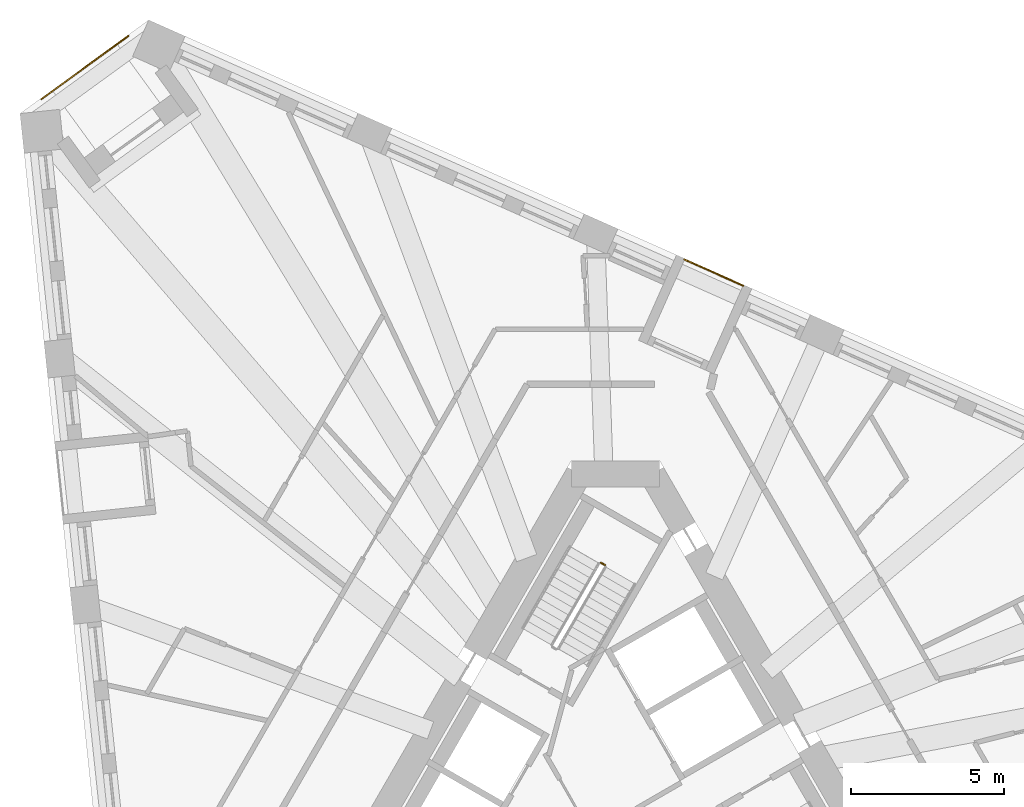
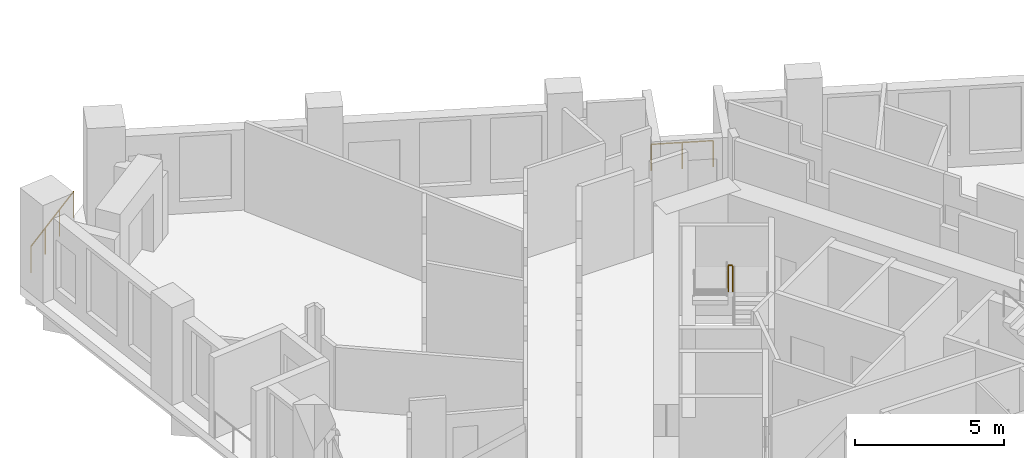
# One storey, part 13 of 14: 3 railings.
"""IFC4 building model written with IfcOpenShell, lengths in metres."""

import ifcopenshell
import ifcopenshell.guid

model = None  # the IFC model being written
_history = None  # IfcOwnerHistory: only IFC2X3 demands one
_inside = {}  # id of a spatial element -> (the spatial element, [elements in it])
_under = {}  # id of a project, library or spatial element -> (it, [spatial elements below it])
_declared = {}  # id of a project -> (the project, [libraries it declares])
_typed = {}  # id of a type object -> (the type object, [elements of that type])
_made_of = {}  # id of a material, layer set ... -> (it, [elements and type objects made of it])


def new_model(schema):
    """Start an empty IFC model of exactly this schema.

    Asked for "IFC4X3", IfcOpenShell would pick the latest addendum, in which some entities
    have other attributes; the version numbers below select the first issue.
    IFC2X3 requires an IfcOwnerHistory on every rooted entity: one is made here for all.
    """
    global model, _history
    if schema == "IFC4X3":
        model = ifcopenshell.file(schema_version=(4, 3, 0, 0))
    else:
        model = ifcopenshell.file(schema=schema)
    _inside.clear()
    _under.clear()
    _declared.clear()
    _typed.clear()
    _made_of.clear()
    _history = None
    if model.schema == "IFC2X3":
        org = make("IfcOrganization", Name="unknown")
        user = make(
            "IfcPersonAndOrganization",
            ThePerson=make("IfcPerson", FamilyName="unknown"),
            TheOrganization=org,
        )
        app = make(
            "IfcApplication",
            ApplicationDeveloper=org,
            Version="unknown",
            ApplicationFullName="unknown",
            ApplicationIdentifier="unknown",
        )
        _history = make(
            "IfcOwnerHistory",
            OwningUser=user,
            OwningApplication=app,
            ChangeAction="ADDED",
            CreationDate=0,
        )
    return model


def make(cls, **values):
    """One entity of the class cls with the attributes given. An attribute that is None is left unset."""
    return model.create_entity(
        cls, **{name: value for name, value in values.items() if value is not None}
    )


def rooted(cls, **values):
    """An entity with a GlobalId (a new one), such as an element, a storey or a relation."""
    return make(cls, GlobalId=ifcopenshell.guid.new(), OwnerHistory=_history, **values)


def si_unit(unit_type, name, prefix=None):
    """IfcSIUnit, for example si_unit("LENGTHUNIT", "METRE", prefix="MILLI")."""
    return make("IfcSIUnit", UnitType=unit_type, Prefix=prefix, Name=name)


def assignment(units):
    """IfcUnitAssignment: the units of a project."""
    return None if units is None else make("IfcUnitAssignment", Units=units)


def point(xyz):
    """IfcCartesianPoint."""
    return None if xyz is None else make("IfcCartesianPoint", Coordinates=xyz)


def direction(xyz):
    """IfcDirection."""
    return None if xyz is None else make("IfcDirection", DirectionRatios=xyz)


def frame(location, z_axis=None, x_axis=None):
    """IfcAxis2Placement3D, a coordinate frame: its origin and axes. An axis left out is left unset."""
    return make(
        "IfcAxis2Placement3D",
        Location=point(location),
        Axis=direction(z_axis),
        RefDirection=direction(x_axis),
    )


def frame_2d(location, x_axis=None):
    """IfcAxis2Placement2D, a coordinate frame in the plane: its origin and x axis."""
    return make(
        "IfcAxis2Placement2D", Location=point(location), RefDirection=direction(x_axis)
    )


def origin():
    """The frame at (0, 0, 0) with its axes left unset."""
    return frame((0.0, 0.0, 0.0))


def origin_2d():
    """The frame at (0, 0) in the plane with its x axis left unset."""
    return frame_2d((0.0, 0.0))


def place(relative_to, where):
    """IfcLocalPlacement: puts the frame where relative to a parent placement (None: the world)."""
    return make(
        "IfcLocalPlacement", PlacementRelTo=relative_to, RelativePlacement=where
    )


def context(
    kind, dimensions, precision=None, world=None, true_north=None, identifier=None
):
    """IfcGeometricRepresentationContext, for example the 3D "Model" context."""
    return make(
        "IfcGeometricRepresentationContext",
        ContextIdentifier=identifier,
        ContextType=kind,
        CoordinateSpaceDimension=dimensions,
        Precision=precision,
        WorldCoordinateSystem=world,
        TrueNorth=true_north,
    )


def subcontext(parent, identifier, kind, view, scale=None):
    """IfcGeometricRepresentationSubContext, for example "Body" below "Model"."""
    return make(
        "IfcGeometricRepresentationSubContext",
        ContextIdentifier=identifier,
        ContextType=kind,
        ParentContext=parent,
        TargetScale=scale,
        TargetView=view,
    )


def project(units=None, contexts=None):
    """IfcProject with its units and contexts."""
    return rooted(
        "IfcProject",
        Name="project",
        RepresentationContexts=contexts,
        UnitsInContext=assignment(units),
    )


def spatial(cls, under=None, at=None, **own):
    """A site, building, storey or space (cls), placed at a placement, below another one or the project."""
    s = rooted(cls, ObjectPlacement=at, **own)
    if under is not None:
        _under.setdefault(under.id(), (under, []))[1].append(s)
    return s


def profile(cls, at=None, kind="AREA", **sizes):
    """A parametric profile (cls). Its sizes go by their IFC names, for example OverallWidth=200.0."""
    return make(cls, ProfileType=kind, Position=at, **sizes)


def circle(**sizes):
    """IfcCircleProfileDef."""
    return profile("IfcCircleProfileDef", **sizes)


def extrude(swept, where, along, depth):
    """IfcExtrudedAreaSolid: the profile swept, set in the frame where, extruded along a direction by depth."""
    return make(
        "IfcExtrudedAreaSolid",
        SweptArea=swept,
        Position=where,
        ExtrudedDirection=direction(along),
        Depth=depth,
    )


def shape(context_of_items, identifier, shape_type, items):
    """IfcShapeRepresentation: the items that make up one representation, for example the "Body"."""
    return make(
        "IfcShapeRepresentation",
        ContextOfItems=context_of_items,
        RepresentationIdentifier=identifier,
        RepresentationType=shape_type,
        Items=items,
    )


def material(Name=None, Category=None):
    """IfcMaterial."""
    return make("IfcMaterial", Name=Name, Category=Category)


def made_of(thing, what):
    """Note that an element or type object is made of a material, layer set ...; save() writes the relation."""
    if what is not None:
        _made_of.setdefault(what.id(), (what, []))[1].append(thing)
    return thing


def type_object(cls, material=None, **own):
    """A type object (cls), such as IfcWallType, which elements share."""
    return made_of(rooted(cls, **own), material)


def element(
    cls,
    number,
    at=None,
    inside=None,
    cuts=None,
    type_object=None,
    material=None,
    context=None,
    identifier="Body",
    shape_type=None,
    held_by="IfcProductDefinitionShape",
    body=None,
    shapes=None,
    **own,
):
    """One element of the class cls, such as IfcWall. Its Tag is "e" and its number.

    at: its placement. inside: the storey or other place that contains it. cuts: it is an
    opening in that element (IfcRelVoidsElement). A single representation is given by context,
    identifier, shape_type and body (its items); several are given by shapes. held_by: the class
    of the entity that holds the representations. save() writes the other relations.
    """
    e = rooted(cls, Tag="e%d" % number, ObjectPlacement=at, **own)
    if body is not None:
        shapes = [shape(context, identifier, shape_type, body)]
    if shapes is not None:
        e.Representation = make(held_by, Representations=shapes)
    if inside is not None:
        _inside.setdefault(inside.id(), (inside, []))[1].append(e)
    if cuts is not None:
        rooted(
            "IfcRelVoidsElement", RelatingBuildingElement=cuts, RelatedOpeningElement=e
        )
    if type_object is not None:
        _typed.setdefault(type_object.id(), (type_object, []))[1].append(e)
    return made_of(e, material)


def aggregate(whole, parts):
    """IfcRelAggregates: a whole, such as a stair, and the parts it consists of."""
    return rooted("IfcRelAggregates", RelatingObject=whole, RelatedObjects=parts)


def save(model, path):
    """Write the relations noted so far, then the file.

    IfcRelAggregates (storeys below a building ...), IfcRelContainedInSpatialStructure (elements
    in a storey), IfcRelDefinesByType, IfcRelAssociatesMaterial and IfcRelDeclares: one each for
    every whole, place, type object, material and project.
    """
    for whole, parts in _under.values():
        aggregate(whole, parts)
    for where, things in _inside.values():
        rooted(
            "IfcRelContainedInSpatialStructure",
            RelatedElements=things,
            RelatingStructure=where,
        )
    for kind, things in _typed.values():
        rooted("IfcRelDefinesByType", RelatedObjects=things, RelatingType=kind)
    for what, things in _made_of.values():
        rooted("IfcRelAssociatesMaterial", RelatedObjects=things, RelatingMaterial=what)
    for by, libraries in _declared.values():
        rooted("IfcRelDeclares", RelatingContext=by, RelatedDefinitions=libraries)
    model.write(path)


model = new_model("IFC4")

# Units and contexts
model_context = context("Model", 3, precision=1e-05, world=origin(), true_north=direction((0.0, 1.0)))
body_context = subcontext(model_context, "Body", "Model", "MODEL_VIEW")
ifc_project = project(units=[si_unit("LENGTHUNIT", "METRE"), si_unit("AREAUNIT", "SQUARE_METRE"), si_unit("VOLUMEUNIT", "CUBIC_METRE"), si_unit("PLANEANGLEUNIT", "RADIAN"), si_unit("MASSUNIT", "GRAM", prefix="KILO")], contexts=[model_context])

# Site, building, storey
site_placement = place(None, origin())
site = spatial("IfcSite", under=ifc_project, at=site_placement, CompositionType="ELEMENT")
building_placement = place(site_placement, origin())
building = spatial("IfcBuilding", under=site, at=building_placement, Name="Tramontana Tower", CompositionType="ELEMENT")
storey_placement = place(building_placement, frame((0.0, 0.0, 182.800048828125)))
storey = spatial("IfcBuildingStorey", under=building, at=storey_placement, Name="L42", CompositionType="ELEMENT", Elevation=182.800048828125)

# Railings
ifc_material_1 = material(Name="Laminated glass balustrade", Category="glass")
railing_type_1 = type_object("IfcRailingType", Name="GD1 Loggia glass balustrade 1100", PredefinedType="BALUSTRADE", material=ifc_material_1)
railing_1_placement = place(storey_placement, frame((4.1669921875, 16.720703125, 0.0)))
element("IfcRailing", 1, at=railing_1_placement, inside=storey, type_object=railing_type_1, Name="Loggia balustrade L42 G4S2.10", PredefinedType="BALUSTRADE", context=body_context, shape_type="SweptSolid", body=[
    extrude(circle(Radius=0.02392578125, at=origin_2d()), frame((0.0, 0.0, 1.076171875), z_axis=(-0.913556597974, 0.40671162056, 0.0), x_axis=(-0.40671162056, -0.913556597974, 0.0)), (0.0, 0.0, 1.0), 2.094482421875),
    extrude(circle(Radius=0.02099609375, at=origin_2d()), origin(), (0.0, 0.0, 1.0), 1.052001953125),
    extrude(circle(Radius=0.02099609375, at=origin_2d()), frame((-0.95654296875, 0.42578125, 0.0)), (0.0, 0.0, 1.0), 1.052001953125),
    extrude(circle(Radius=0.02099609375, at=origin_2d()), frame((-1.913330078125, 0.851806640625, 0.0)), (0.0, 0.0, 1.0), 1.052001953125),
])
railing_2_placement = place(storey_placement, frame((-18.73779296875, 22.81298828125, 0.0)))
element("IfcRailing", 2, at=railing_2_placement, inside=storey, type_object=railing_type_1, Name="Corner loggia balustrade L42 K40", PredefinedType="BALUSTRADE", context=body_context, shape_type="SweptSolid", body=[
    extrude(circle(Radius=0.02392578125, at=origin_2d()), frame((0.0, 0.0, 1.076171875), z_axis=(0.808998426921, 0.587810807352, 0.0), x_axis=(-0.587810807352, 0.808998426921, 0.0)), (0.0, 0.0, 1.0), 3.5),
    extrude(circle(Radius=0.02099609375, at=origin_2d()), origin(), (0.0, 0.0, 1.0), 1.052001953125),
    extrude(circle(Radius=0.02099609375, at=origin_2d()), frame((0.94384765625, 0.685791015625, 0.0)), (0.0, 0.0, 1.0), 1.052001953125),
    extrude(circle(Radius=0.02099609375, at=origin_2d()), frame((1.8876953125, 1.37158203125, 0.0)), (0.0, 0.0, 1.0), 1.052001953125),
    extrude(circle(Radius=0.02099609375, at=origin_2d()), frame((2.83154296875, 2.057373046875, 0.0)), (0.0, 0.0, 1.0), 1.052001953125),
])
ifc_material_2 = material(Name="Painted steel", Category="steel")
railing_type_2 = type_object("IfcRailingType", Name="STAIR GUARD 1100", PredefinedType="GUARDRAIL", material=ifc_material_2)
railing_3_placement = place(storey_placement, frame((-0.345703125, 7.601318359375, 2.0)))
element("IfcRailing", 3, at=railing_3_placement, inside=storey, type_object=railing_type_2, Name="L42 ST1 stair guard 3", PredefinedType="GUARDRAIL", context=body_context, shape_type="SweptSolid", body=[
    extrude(circle(Radius=0.02392578125, at=origin_2d()), frame((0.0, 0.0, 1.076171875), z_axis=(-0.866131372301, 0.499816412211, 0.0), x_axis=(-0.499816412211, -0.866131372301, 0.0)), (0.0, 0.0, 1.0), 0.14990234375),
    extrude(circle(Radius=0.02099609375, at=origin_2d()), origin(), (0.0, 0.0, 1.0), 1.052001953125),
    extrude(circle(Radius=0.02099609375, at=origin_2d()), frame((-0.1298828125, 0.074951171875, 0.0)), (0.0, 0.0, 1.0), 1.052001953125),
])

save(model, "model.ifc")
